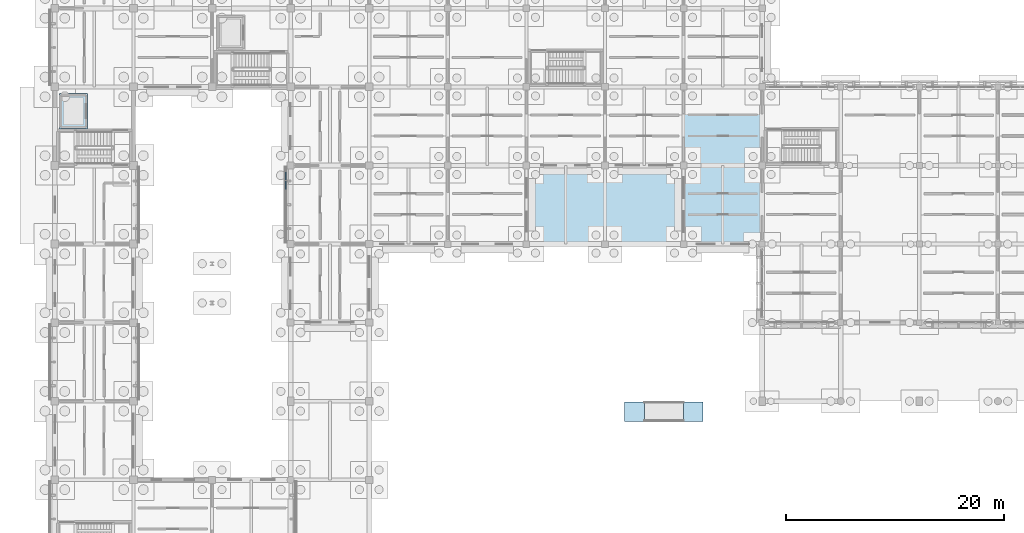
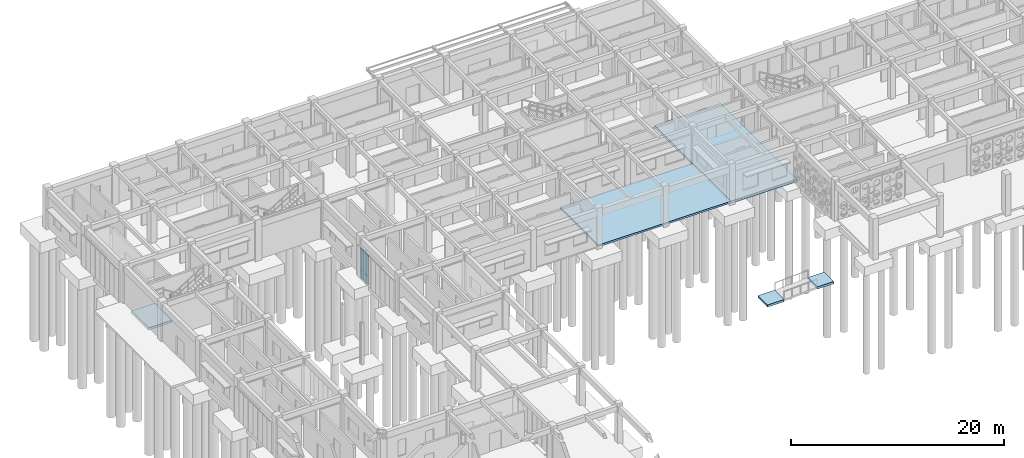
# One storey, part 50 of 111: 5 slabs, 4 plates, 1 element without a shape of its own.
"""IFC4 building model written with IfcOpenShell, lengths in metres."""

from ifc_helpers import new_model, si_unit, direction, frame, origin, origin_2d, place, context, subcontext, project, spatial, polyline, rectangle, outline, extrude, material, layer, layer_set, type_object, element, aggregate, save


model = new_model("IFC4")

# Units and contexts
model_context = context("Model", 3, precision=1e-05, world=origin(), true_north=direction((0.0, 1.0)))
body_context = subcontext(model_context, "Body", "Model", "MODEL_VIEW")
ifc_project = project(units=[si_unit("LENGTHUNIT", "METRE"), si_unit("AREAUNIT", "SQUARE_METRE"), si_unit("VOLUMEUNIT", "CUBIC_METRE"), si_unit("PLANEANGLEUNIT", "RADIAN"), si_unit("MASSUNIT", "GRAM", prefix="KILO")], contexts=[model_context])

# Site, building, storey
site_placement = place(None, origin())
site = spatial("IfcSite", under=ifc_project, at=site_placement, CompositionType="ELEMENT")
building_placement = place(site_placement, origin())
building = spatial("IfcBuilding", under=site, at=building_placement, Name="Aldebral Square Health Centre", CompositionType="ELEMENT")
storey_placement = place(building_placement, origin())
storey = spatial("IfcBuildingStorey", under=building, at=storey_placement, Name="L00", CompositionType="ELEMENT", Elevation=0.0)

# Curtain wall, plates
ifc_material_1 = material(Name="Aluminium and low-E solar glass", Category="aluminium")
curtain_wall_type = type_object("IfcCurtainWallType", Name="CW-FIN-SYS", PredefinedType="USERDEFINED", material=ifc_material_1)
curtain_wall_placement = place(storey_placement, origin())
curtain_wall = element("IfcCurtainWall", 1, at=curtain_wall_placement, inside=storey, type_object=curtain_wall_type, Name="L00 V4 finned curtain wall L00-V4-03-12-W", ObjectType="SOLAR_CURTAIN_WALL", PredefinedType="USERDEFINED")
ifc_material_2 = material(Name="Solar-control low-E double glass", Category="glass")
ifc_layer_1 = layer(ifc_material_2, 0.070068359375, Name="Solar-control low-E double glass", Category="glass")
ifc_layer_set_1 = layer_set([ifc_layer_1], Name="Solar-control low-E double glass")
plate_type = type_object("IfcPlateType", Name="CWP-GLZ-6", PredefinedType="CURTAIN_PANEL", material=ifc_layer_set_1)
plate_1_placement = place(storey_placement, frame((21.139892578125, 92.63427734375, 0.074951171875), z_axis=(0.0, 0.0, 1.0), x_axis=(0.0, -1.0, 0.0)))
plate_1 = element("IfcPlate", 2, at=plate_1_placement, type_object=plate_type, Name="CW1 panel 1.1", PredefinedType="CURTAIN_PANEL", context=body_context, shape_type="SweptSolid", body=[
    extrude(rectangle(XDim=0.6513671875, YDim=0.070068359375, at=origin_2d()), origin(), (0.0, 0.0, 1.0), 0.9375),
])
plate_2_placement = place(storey_placement, frame((21.139892578125, 92.63427734375, 1.087646484375), z_axis=(0.0, 0.0, 1.0), x_axis=(0.0, -1.0, 0.0)))
plate_2 = element("IfcPlate", 3, at=plate_2_placement, type_object=plate_type, Name="CW1 panel 1.2", PredefinedType="CURTAIN_PANEL", context=body_context, shape_type="SweptSolid", body=[
    extrude(rectangle(XDim=0.6513671875, YDim=0.070068359375, at=origin_2d()), origin(), (0.0, 0.0, 1.0), 2.357421875),
])
plate_3_placement = place(storey_placement, frame((21.139892578125, 91.782958984375, 0.074951171875), z_axis=(0.0, 0.0, 1.0), x_axis=(0.0, -1.0, 0.0)))
plate_3 = element("IfcPlate", 4, at=plate_3_placement, type_object=plate_type, Name="CW1 panel 2.1", PredefinedType="CURTAIN_PANEL", context=body_context, shape_type="SweptSolid", body=[
    extrude(rectangle(XDim=0.7314453125, YDim=0.070068359375, at=origin_2d()), origin(), (0.0, 0.0, 1.0), 0.9375),
])
plate_4_placement = place(storey_placement, frame((21.139892578125, 91.782958984375, 1.087646484375), z_axis=(0.0, 0.0, 1.0), x_axis=(0.0, -1.0, 0.0)))
plate_4 = element("IfcPlate", 5, at=plate_4_placement, type_object=plate_type, Name="CW1 panel 2.2", PredefinedType="CURTAIN_PANEL", context=body_context, shape_type="SweptSolid", body=[
    extrude(rectangle(XDim=0.7314453125, YDim=0.070068359375, at=origin_2d()), origin(), (0.0, 0.0, 1.0), 2.357421875),
])
aggregate(curtain_wall, [plate_1, plate_2, plate_3, plate_4])

# Slabs
ifc_material_3 = material(Name="Concrete C35/45", Category="concrete")
ifc_layer_2 = layer(ifc_material_3, 0.25, Name="Concrete C35/45", Category="concrete")
ifc_layer_set_2 = layer_set([ifc_layer_2], Name="Concrete C35/45")
slab_type_1 = type_object("IfcSlabType", Name="SL-BASE-250", PredefinedType="BASESLAB", material=ifc_layer_set_2)
slab_1_placement = place(storey_placement, frame((0.0, 0.0, -0.429931640625)))
element("IfcSlab", 6, at=slab_1_placement, inside=storey, type_object=slab_type_1, Name="Main Square West Entry Ramp lower approach landing", PredefinedType="BASESLAB", context=body_context, shape_type="SweptSolid", body=[
    extrude(outline(polyline([(52.199951171875, 70.14990234375), (54.0, 70.14990234375), (54.0, 71.949951171875), (52.199951171875, 71.949951171875), (52.199951171875, 70.14990234375)])), origin(), (0.0, 0.0, 1.0), 0.25),
])
slab_2_placement = place(storey_placement, frame((0.0, 0.0, -0.25)))
element("IfcSlab", 7, at=slab_2_placement, inside=storey, type_object=slab_type_1, Name="Main Square West Entry Ramp upper threshold landing", PredefinedType="BASESLAB", context=body_context, shape_type="SweptSolid", body=[
    extrude(outline(polyline([(57.60009765625, 70.14990234375), (59.39990234375, 70.14990234375), (59.39990234375, 71.949951171875), (57.60009765625, 71.949951171875), (57.60009765625, 70.14990234375)])), origin(), (0.0, 0.0, 1.0), 0.25),
])
slab_3_placement = place(storey_placement, frame((0.0, 0.0, -1.199951171875)))
element("IfcSlab", 8, at=slab_3_placement, inside=storey, type_object=slab_type_1, Name="LF-01 pit slab", PredefinedType="BASESLAB", context=body_context, shape_type="SweptSolid", body=[
    extrude(outline(polyline([(0.39990234375, 96.949951171875), (3.0, 96.949951171875), (3.0, 100.199951171875), (0.39990234375, 100.199951171875), (0.39990234375, 96.949951171875)])), origin(), (0.0, 0.0, 1.0), 0.25),
])
ifc_layer_3 = layer(ifc_material_3, 0.27001953125, Name="Concrete C35/45", Category="concrete")
ifc_layer_set_3 = layer_set([ifc_layer_3], Name="Concrete C35/45")
slab_type_2 = type_object("IfcSlabType", Name="SL-BASE-270", PredefinedType="BASESLAB", material=ifc_layer_set_3)
slab_4_placement = place(storey_placement, frame((0.0, 0.0, -0.27001953125)))
element("IfcSlab", 9, at=slab_4_placement, inside=storey, type_object=slab_type_2, Name="L00 V2 base slab 5", PredefinedType="BASESLAB", context=body_context, shape_type="SweptSolid", body=[
    extrude(outline(polyline([(64.800048828125, 86.39990234375), (57.60009765625, 86.39990234375), (57.60009765625, 93.60009765625), (57.60009765625, 100.800048828125), (64.800048828125, 100.800048828125), (64.800048828125, 93.60009765625), (64.800048828125, 86.39990234375)])), origin(), (0.0, 0.0, 1.0), 0.27001953125),
])
ifc_layer_4 = layer(ifc_material_3, 0.199951171875, Name="Concrete C35/45", Category="concrete")
ifc_layer_set_4 = layer_set([ifc_layer_4], Name="Concrete C35/45")
slab_type_3 = type_object("IfcSlabType", Name="SL-COL-200", PredefinedType="USERDEFINED", material=ifc_layer_set_4)
slab_5_placement = place(storey_placement, frame((0.0, 0.0, -0.199951171875)))
element("IfcSlab", 10, at=slab_5_placement, inside=storey, type_object=slab_type_3, Name="Aldebral Square colonnade paving 7", ObjectType="PAVING", PredefinedType="USERDEFINED", context=body_context, shape_type="SweptSolid", body=[
    extrude(outline(polyline([(57.60009765625, 86.39990234375), (50.39990234375, 86.39990234375), (43.199951171875, 86.39990234375), (43.199951171875, 93.60009765625), (50.39990234375, 93.60009765625), (57.60009765625, 93.60009765625), (57.60009765625, 86.39990234375)])), origin(), (0.0, 0.0, 1.0), 0.199951171875),
])

save(model, "model.ifc")
